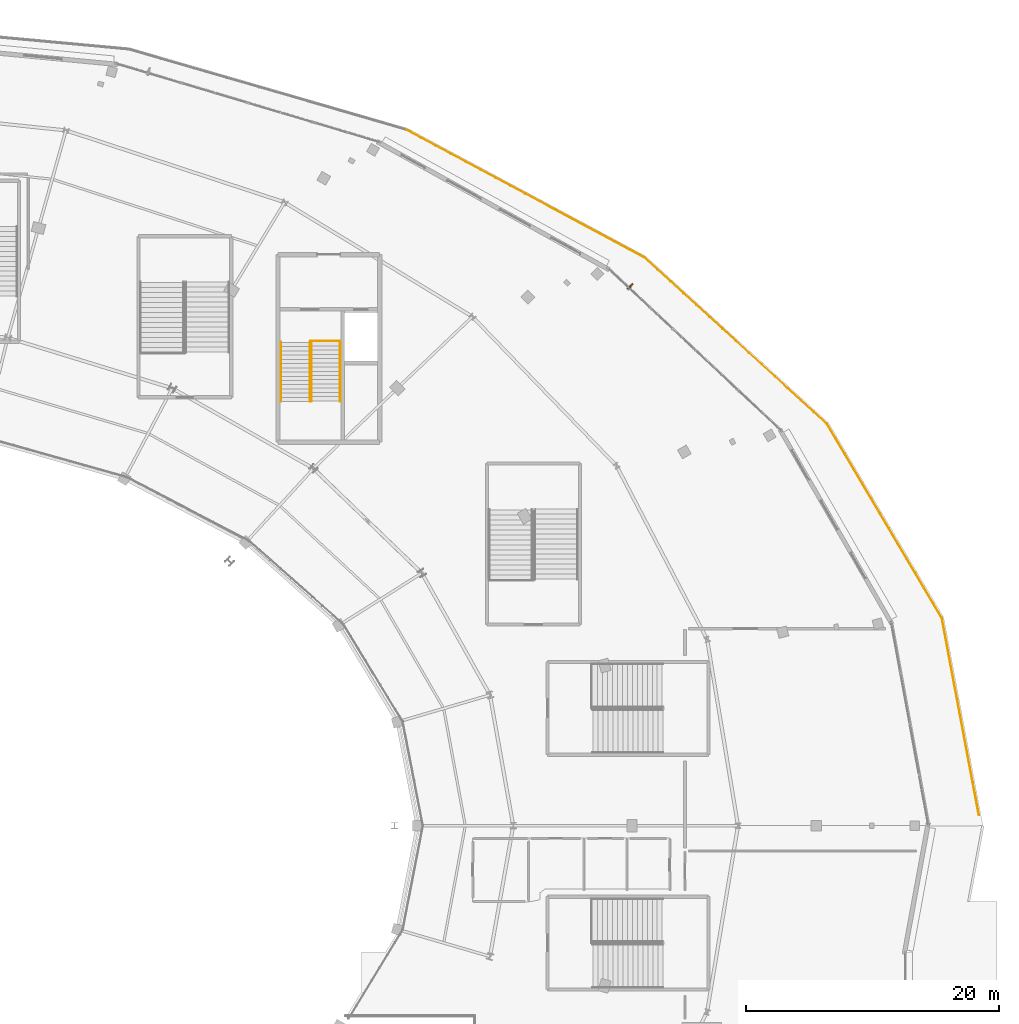
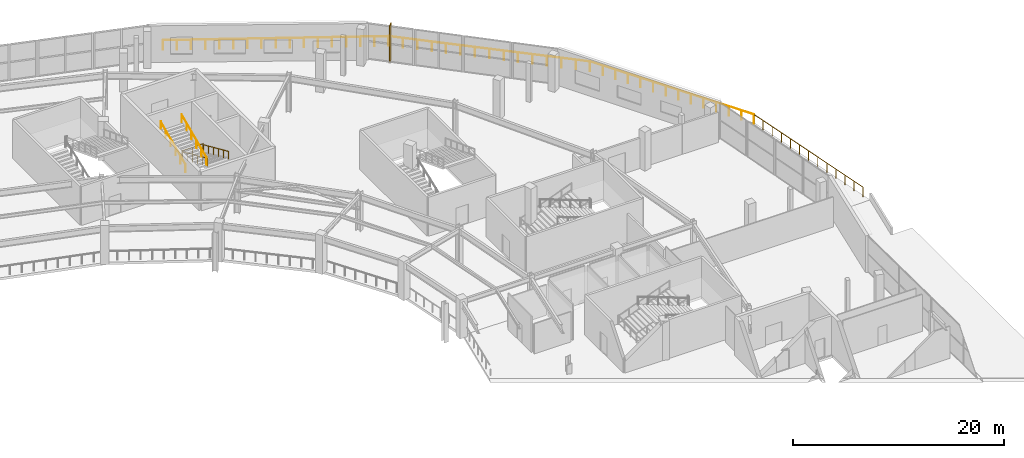
# One storey, part 107 of 107: 9 railings, 1 shading device.
"""IFC4 building model written with IfcOpenShell, lengths in metres."""

from ifc_helpers import new_model, si_unit, direction, frame, origin, origin_2d, place, context, subcontext, project, spatial, rectangle, circle, extrude, material, layer, layer_set, type_object, element, save


model = new_model("IFC4")

# Units and contexts
model_context = context("Model", 3, precision=1e-05, world=origin(), true_north=direction((0.0, 1.0)))
body_context = subcontext(model_context, "Body", "Model", "MODEL_VIEW")
ifc_project = project(units=[si_unit("LENGTHUNIT", "METRE"), si_unit("AREAUNIT", "SQUARE_METRE"), si_unit("VOLUMEUNIT", "CUBIC_METRE"), si_unit("PLANEANGLEUNIT", "RADIAN"), si_unit("MASSUNIT", "GRAM", prefix="KILO")], contexts=[model_context])

# Site, building, storey
site_placement = place(None, origin())
site = spatial("IfcSite", under=ifc_project, at=site_placement, CompositionType="ELEMENT")
building_placement = place(site_placement, origin())
building = spatial("IfcBuilding", under=site, at=building_placement, Name="Kalgoora Escarpment Arena", CompositionType="ELEMENT")
storey_placement = place(building_placement, frame((0.0, 0.0, 5.39990234375)))
storey = spatial("IfcBuildingStorey", under=building, at=storey_placement, Name="L01", CompositionType="ELEMENT", Elevation=5.39990234375)

# Railings
ifc_material_1 = material(Name="Galvanised & powdercoated tubular steel", Category="steel")
railing_type_1 = type_object("IfcRailingType", Name="RAL-GUARD-1120", PredefinedType="GUARDRAIL", material=ifc_material_1)
railing_1_placement = place(storey_placement, frame((132.68994140625, 102.389892578125, 0.0)))
element("IfcRailing", 1, at=railing_1_placement, inside=storey, type_object=railing_type_1, Name="ST04 L01 floor landing well guard", PredefinedType="GUARDRAIL", context=body_context, shape_type="SweptSolid", body=[
    extrude(circle(Radius=0.02392578125, at=origin_2d()), frame((0.0, 0.0, 1.09619140625), z_axis=(-1.0, 0.0, 0.0), x_axis=(0.0, -1.0, 0.0)), (0.0, 0.0, 1.0), 2.33984375),
    extrude(circle(Radius=0.02099609375, at=origin_2d()), origin(), (0.0, 0.0, 1.0), 1.072021484375),
    extrude(circle(Radius=0.02099609375, at=origin_2d()), frame((-1.169921875, 0.0, 0.0)), (0.0, 0.0, 1.0), 1.072021484375),
    extrude(circle(Radius=0.02099609375, at=origin_2d()), frame((-2.33984375, 0.0, 0.0)), (0.0, 0.0, 1.0), 1.072021484375),
])
ifc_material_2 = material(Name="Brushed stainless steel 316 handrail", Category="steel")
railing_type_2 = type_object("IfcRailingType", Name="RAL-HAND-920", PredefinedType="HANDRAIL", material=ifc_material_2)
for number, where, name in (
    (2, (132.699951171875, 102.31005859375, 0.110107421875), "ST04 L01 pitched stair handrail F1L"),
    (3, (130.405029296875, 102.31005859375, 0.110107421875), "ST04 L01 pitched stair handrail F1R"),
):
    element("IfcRailing", number, at=place(storey_placement, frame(where)), inside=storey, type_object=railing_type_2, Name=name, PredefinedType="HANDRAIL", context=body_context, shape_type="SweptSolid", body=[
        extrude(circle(Radius=0.02392578125, at=origin_2d()), frame((0.0, 0.0, 0.89599609375), z_axis=(0.0, -0.913643874524, 0.406515523129), x_axis=(1.0, 0.0, 0.0)), (0.0, 0.0, 1.0), 5.166015625),
        extrude(circle(Radius=0.02099609375, at=origin_2d()), origin(), (0.0, 0.0, 1.0), 0.871826171875),
        extrude(circle(Radius=0.02099609375, at=origin_2d()), frame((0.0, -0.944091796875, 0.419921875)), (0.0, 0.0, 1.0), 0.871826171875),
        extrude(circle(Radius=0.02099609375, at=origin_2d()), frame((0.0, -1.887939453125, 0.840087890625)), (0.0, 0.0, 1.0), 0.871826171875),
        extrude(circle(Radius=0.02099609375, at=origin_2d()), frame((0.0, -2.83203125, 1.260009765625)), (0.0, 0.0, 1.0), 0.871826171875),
        extrude(circle(Radius=0.02099609375, at=origin_2d()), frame((0.0, -3.77587890625, 1.68017578125)), (0.0, 0.0, 1.0), 0.871826171875),
        extrude(circle(Radius=0.02099609375, at=origin_2d()), frame((0.0, -4.719970703125, 2.10009765625)), (0.0, 0.0, 1.0), 0.871826171875),
    ])
for number, where, name in (
    (4, (130.294921875, 97.590087890625, 2.360107421875), "ST04 L01 pitched stair handrail F2L"),
    (5, (128.0, 97.590087890625, 2.360107421875), "ST04 L01 pitched stair handrail F2R"),
):
    element("IfcRailing", number, at=place(storey_placement, frame(where)), inside=storey, type_object=railing_type_2, Name=name, PredefinedType="HANDRAIL", context=body_context, shape_type="SweptSolid", body=[
        extrude(circle(Radius=0.02392578125, at=origin_2d()), frame((0.0, 0.0, 0.89599609375), z_axis=(0.0, 0.913643874524, 0.406515523129), x_axis=(-1.0, 0.0, 0.0)), (0.0, 0.0, 1.0), 5.166015625),
        extrude(circle(Radius=0.02099609375, at=origin_2d()), origin(), (0.0, 0.0, 1.0), 0.871826171875),
        extrude(circle(Radius=0.02099609375, at=origin_2d()), frame((0.0, 0.944091796875, 0.419921875)), (0.0, 0.0, 1.0), 0.871826171875),
        extrude(circle(Radius=0.02099609375, at=origin_2d()), frame((0.0, 1.887939453125, 0.840087890625)), (0.0, 0.0, 1.0), 0.871826171875),
        extrude(circle(Radius=0.02099609375, at=origin_2d()), frame((0.0, 2.83203125, 1.260009765625)), (0.0, 0.0, 1.0), 0.871826171875),
        extrude(circle(Radius=0.02099609375, at=origin_2d()), frame((0.0, 3.77587890625, 1.68017578125)), (0.0, 0.0, 1.0), 0.871826171875),
        extrude(circle(Radius=0.02099609375, at=origin_2d()), frame((0.0, 4.719970703125, 2.10009765625)), (0.0, 0.0, 1.0), 0.871826171875),
    ])
ifc_material_3 = material(Name="Champagne anodised aluminium & laminated glass", Category="aluminium")
railing_type_3 = type_object("IfcRailingType", Name="RAL-TERR-1100", PredefinedType="GUARDRAIL", material=ifc_material_3)
railing_2_placement = place(storey_placement, frame((137.939208984375, 119.103515625, 0.0)))
element("IfcRailing", 6, at=railing_2_placement, inside=storey, type_object=railing_type_3, Name="Lower Planted Elliptical Garden Promenade perimeter guardrail 019", PredefinedType="GUARDRAIL", context=body_context, shape_type="SweptSolid", body=[
    extrude(circle(Radius=0.02392578125, at=origin_2d()), frame((0.0, 0.0, 1.09619140625), z_axis=(0.881079919306, -0.472967415153, 0.0), x_axis=(0.472967415153, 0.881079919306, 0.0)), (0.0, 0.0, 1.0), 21.400634765625),
    extrude(circle(Radius=0.02099609375, at=origin_2d()), origin(), (0.0, 0.0, 1.0), 1.072021484375),
    extrude(circle(Radius=0.02099609375, at=origin_2d()), frame((1.178466796875, -0.632568359375, 0.0)), (0.0, 0.0, 1.0), 1.072021484375),
    extrude(circle(Radius=0.02099609375, at=origin_2d()), frame((2.35693359375, -1.26513671875, 0.0)), (0.0, 0.0, 1.0), 1.072021484375),
    extrude(circle(Radius=0.02099609375, at=origin_2d()), frame((3.535400390625, -1.89794921875, 0.0)), (0.0, 0.0, 1.0), 1.072021484375),
    extrude(circle(Radius=0.02099609375, at=origin_2d()), frame((4.7138671875, -2.530517578125, 0.0)), (0.0, 0.0, 1.0), 1.072021484375),
    extrude(circle(Radius=0.02099609375, at=origin_2d()), frame((5.892333984375, -3.1630859375, 0.0)), (0.0, 0.0, 1.0), 1.072021484375),
    extrude(circle(Radius=0.02099609375, at=origin_2d()), frame((7.07080078125, -3.795654296875, 0.0)), (0.0, 0.0, 1.0), 1.072021484375),
    extrude(circle(Radius=0.02099609375, at=origin_2d()), frame((8.249267578125, -4.42822265625, 0.0)), (0.0, 0.0, 1.0), 1.072021484375),
    extrude(circle(Radius=0.02099609375, at=origin_2d()), frame((9.427734375, -5.06103515625, 0.0)), (0.0, 0.0, 1.0), 1.072021484375),
    extrude(circle(Radius=0.02099609375, at=origin_2d()), frame((10.6064453125, -5.693603515625, 0.0)), (0.0, 0.0, 1.0), 1.072021484375),
    extrude(circle(Radius=0.02099609375, at=origin_2d()), frame((11.784912109375, -6.326171875, 0.0)), (0.0, 0.0, 1.0), 1.072021484375),
    extrude(circle(Radius=0.02099609375, at=origin_2d()), frame((12.96337890625, -6.958740234375, 0.0)), (0.0, 0.0, 1.0), 1.072021484375),
    extrude(circle(Radius=0.02099609375, at=origin_2d()), frame((14.141845703125, -7.59130859375, 0.0)), (0.0, 0.0, 1.0), 1.072021484375),
    extrude(circle(Radius=0.02099609375, at=origin_2d()), frame((15.3203125, -8.223876953125, 0.0)), (0.0, 0.0, 1.0), 1.072021484375),
    extrude(circle(Radius=0.02099609375, at=origin_2d()), frame((16.498779296875, -8.856689453125, 0.0)), (0.0, 0.0, 1.0), 1.072021484375),
    extrude(circle(Radius=0.02099609375, at=origin_2d()), frame((17.67724609375, -9.4892578125, 0.0)), (0.0, 0.0, 1.0), 1.072021484375),
    extrude(circle(Radius=0.02099609375, at=origin_2d()), frame((18.855712890625, -10.121826171875, 0.0)), (0.0, 0.0, 1.0), 1.072021484375),
])
railing_3_placement = place(storey_placement, frame((156.794921875, 108.981689453125, 0.0)))
element("IfcRailing", 7, at=railing_3_placement, inside=storey, type_object=railing_type_3, Name="Lower Planted Elliptical Garden Promenade perimeter guardrail 020", PredefinedType="GUARDRAIL", context=body_context, shape_type="SweptSolid", body=[
    extrude(circle(Radius=0.02392578125, at=origin_2d()), frame((0.0, 0.0, 1.09619140625), z_axis=(0.738990371441, -0.673715986835, 0.0), x_axis=(0.673715986835, 0.738990371441, 0.0)), (0.0, 0.0, 1.0), 19.56884765625),
    extrude(circle(Radius=0.02099609375, at=origin_2d()), origin(), (0.0, 0.0, 1.0), 1.072021484375),
    extrude(circle(Radius=0.02099609375, at=origin_2d()), frame((1.032958984375, -0.941650390625, 0.0)), (0.0, 0.0, 1.0), 1.072021484375),
    extrude(circle(Radius=0.02099609375, at=origin_2d()), frame((2.06591796875, -1.88330078125, 0.0)), (0.0, 0.0, 1.0), 1.072021484375),
    extrude(circle(Radius=0.02099609375, at=origin_2d()), frame((3.098876953125, -2.8251953125, 0.0)), (0.0, 0.0, 1.0), 1.072021484375),
    extrude(circle(Radius=0.02099609375, at=origin_2d()), frame((4.1318359375, -3.766845703125, 0.0)), (0.0, 0.0, 1.0), 1.072021484375),
    extrude(circle(Radius=0.02099609375, at=origin_2d()), frame((5.164794921875, -4.70849609375, 0.0)), (0.0, 0.0, 1.0), 1.072021484375),
    extrude(circle(Radius=0.02099609375, at=origin_2d()), frame((6.19775390625, -5.650146484375, 0.0)), (0.0, 0.0, 1.0), 1.072021484375),
    extrude(circle(Radius=0.02099609375, at=origin_2d()), frame((7.23046875, -6.591796875, 0.0)), (0.0, 0.0, 1.0), 1.072021484375),
    extrude(circle(Radius=0.02099609375, at=origin_2d()), frame((8.263427734375, -7.53369140625, 0.0)), (0.0, 0.0, 1.0), 1.072021484375),
    extrude(circle(Radius=0.02099609375, at=origin_2d()), frame((9.29638671875, -8.475341796875, 0.0)), (0.0, 0.0, 1.0), 1.072021484375),
    extrude(circle(Radius=0.02099609375, at=origin_2d()), frame((10.329345703125, -9.4169921875, 0.0)), (0.0, 0.0, 1.0), 1.072021484375),
    extrude(circle(Radius=0.02099609375, at=origin_2d()), frame((11.3623046875, -10.358642578125, 0.0)), (0.0, 0.0, 1.0), 1.072021484375),
    extrude(circle(Radius=0.02099609375, at=origin_2d()), frame((12.395263671875, -11.300537109375, 0.0)), (0.0, 0.0, 1.0), 1.072021484375),
    extrude(circle(Radius=0.02099609375, at=origin_2d()), frame((13.42822265625, -12.2421875, 0.0)), (0.0, 0.0, 1.0), 1.072021484375),
    extrude(circle(Radius=0.02099609375, at=origin_2d()), frame((14.461181640625, -13.183837890625, 0.0)), (0.0, 0.0, 1.0), 1.072021484375),
])
railing_4_placement = place(storey_placement, frame((171.256103515625, 95.7978515625, 0.0)))
element("IfcRailing", 8, at=railing_4_placement, inside=storey, type_object=railing_type_3, Name="Lower Planted Elliptical Garden Promenade perimeter guardrail 021", PredefinedType="GUARDRAIL", context=body_context, shape_type="SweptSolid", body=[
    extrude(circle(Radius=0.02392578125, at=origin_2d()), frame((0.0, 0.0, 1.09619140625), z_axis=(0.509485203392, -0.860479417258, 0.0), x_axis=(0.860479417258, 0.509485203392, 0.0)), (0.0, 0.0, 1.0), 17.830322265625),
    extrude(circle(Radius=0.02099609375, at=origin_2d()), origin(), (0.0, 0.0, 1.0), 1.072021484375),
    extrude(circle(Radius=0.02099609375, at=origin_2d()), frame((0.69873046875, -1.18017578125, 0.0)), (0.0, 0.0, 1.0), 1.072021484375),
    extrude(circle(Radius=0.02099609375, at=origin_2d()), frame((1.3974609375, -2.3603515625, 0.0)), (0.0, 0.0, 1.0), 1.072021484375),
    extrude(circle(Radius=0.02099609375, at=origin_2d()), frame((2.096435546875, -3.54052734375, 0.0)), (0.0, 0.0, 1.0), 1.072021484375),
    extrude(circle(Radius=0.02099609375, at=origin_2d()), frame((2.795166015625, -4.720703125, 0.0)), (0.0, 0.0, 1.0), 1.072021484375),
    extrude(circle(Radius=0.02099609375, at=origin_2d()), frame((3.493896484375, -5.90087890625, 0.0)), (0.0, 0.0, 1.0), 1.072021484375),
    extrude(circle(Radius=0.02099609375, at=origin_2d()), frame((4.192626953125, -7.0810546875, 0.0)), (0.0, 0.0, 1.0), 1.072021484375),
    extrude(circle(Radius=0.02099609375, at=origin_2d()), frame((4.8916015625, -8.261474609375, 0.0)), (0.0, 0.0, 1.0), 1.072021484375),
    extrude(circle(Radius=0.02099609375, at=origin_2d()), frame((5.59033203125, -9.441650390625, 0.0)), (0.0, 0.0, 1.0), 1.072021484375),
    extrude(circle(Radius=0.02099609375, at=origin_2d()), frame((6.2890625, -10.621826171875, 0.0)), (0.0, 0.0, 1.0), 1.072021484375),
    extrude(circle(Radius=0.02099609375, at=origin_2d()), frame((6.98779296875, -11.802001953125, 0.0)), (0.0, 0.0, 1.0), 1.072021484375),
    extrude(circle(Radius=0.02099609375, at=origin_2d()), frame((7.686767578125, -12.982177734375, 0.0)), (0.0, 0.0, 1.0), 1.072021484375),
    extrude(circle(Radius=0.02099609375, at=origin_2d()), frame((8.385498046875, -14.162353515625, 0.0)), (0.0, 0.0, 1.0), 1.072021484375),
    extrude(circle(Radius=0.02099609375, at=origin_2d()), frame((9.084228515625, -15.342529296875, 0.0)), (0.0, 0.0, 1.0), 1.072021484375),
])
railing_5_placement = place(storey_placement, frame((180.34033203125, 80.455322265625, 0.0)))
element("IfcRailing", 9, at=railing_5_placement, inside=storey, type_object=railing_type_3, Name="Lower Planted Elliptical Garden Promenade perimeter guardrail 022", PredefinedType="GUARDRAIL", context=body_context, shape_type="SweptSolid", body=[
    extrude(circle(Radius=0.02392578125, at=origin_2d()), frame((0.0, 0.0, 1.09619140625), z_axis=(0.184955811062, -0.982746838181, 0.0), x_axis=(0.982746838181, 0.184955811062, 0.0)), (0.0, 0.0, 1.0), 15.882080078125),
    extrude(circle(Radius=0.02099609375, at=origin_2d()), origin(), (0.0, 0.0, 1.0), 1.072021484375),
    extrude(circle(Radius=0.02099609375, at=origin_2d()), frame((0.244873046875, -1.30078125, 0.0)), (0.0, 0.0, 1.0), 1.072021484375),
    extrude(circle(Radius=0.02099609375, at=origin_2d()), frame((0.489501953125, -2.601318359375, 0.0)), (0.0, 0.0, 1.0), 1.072021484375),
    extrude(circle(Radius=0.02099609375, at=origin_2d()), frame((0.734375, -3.902099609375, 0.0)), (0.0, 0.0, 1.0), 1.072021484375),
    extrude(circle(Radius=0.02099609375, at=origin_2d()), frame((0.979248046875, -5.20263671875, 0.0)), (0.0, 0.0, 1.0), 1.072021484375),
    extrude(circle(Radius=0.02099609375, at=origin_2d()), frame((1.223876953125, -6.50341796875, 0.0)), (0.0, 0.0, 1.0), 1.072021484375),
    extrude(circle(Radius=0.02099609375, at=origin_2d()), frame((1.46875, -7.80419921875, 0.0)), (0.0, 0.0, 1.0), 1.072021484375),
    extrude(circle(Radius=0.02099609375, at=origin_2d()), frame((1.713623046875, -9.104736328125, 0.0)), (0.0, 0.0, 1.0), 1.072021484375),
    extrude(circle(Radius=0.02099609375, at=origin_2d()), frame((1.958251953125, -10.405517578125, 0.0)), (0.0, 0.0, 1.0), 1.072021484375),
    extrude(circle(Radius=0.02099609375, at=origin_2d()), frame((2.203125, -11.7060546875, 0.0)), (0.0, 0.0, 1.0), 1.072021484375),
    extrude(circle(Radius=0.02099609375, at=origin_2d()), frame((2.447998046875, -13.0068359375, 0.0)), (0.0, 0.0, 1.0), 1.072021484375),
    extrude(circle(Radius=0.02099609375, at=origin_2d()), frame((2.692626953125, -14.307373046875, 0.0)), (0.0, 0.0, 1.0), 1.072021484375),
    extrude(circle(Radius=0.02099609375, at=origin_2d()), frame((2.9375, -15.608154296875, 0.0)), (0.0, 0.0, 1.0), 1.072021484375),
])

# Shading device
ifc_material_4 = material(Name="Champagne anodised extruded aluminium", Category="aluminium")
ifc_layer = layer(ifc_material_4, 0.080078125)
ifc_layer_set = layer_set([ifc_layer], Name="SHD-FIN-CHAMP")
shading_device_type = type_object("IfcShadingDeviceType", Name="SHD-FIN-CHAMP", PredefinedType="USERDEFINED", material=ifc_layer_set)
shading_device_placement = place(storey_placement, frame((155.669189453125, 106.705078125, 0.0), z_axis=(0.0, 0.0, 1.0), x_axis=(0.684038023042, 0.729446353773, 0.0)))
element("IfcShadingDevice", 10, at=shading_device_placement, inside=storey, type_object=shading_device_type, Name="L01 champagne anodised solar fin 05", ObjectType="FIN", PredefinedType="USERDEFINED", context=body_context, shape_type="SweptSolid", body=[
    extrude(rectangle(XDim=0.56005859375, YDim=0.10009765625, at=origin_2d()), origin(), (0.0, 0.0, 1.0), 4.25),
])

save(model, "model.ifc")
